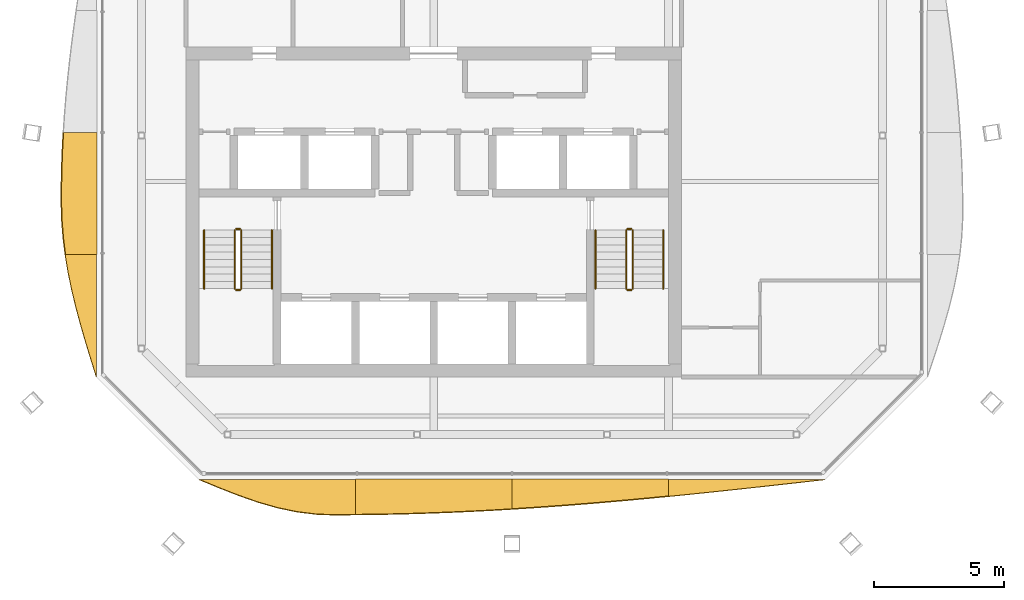
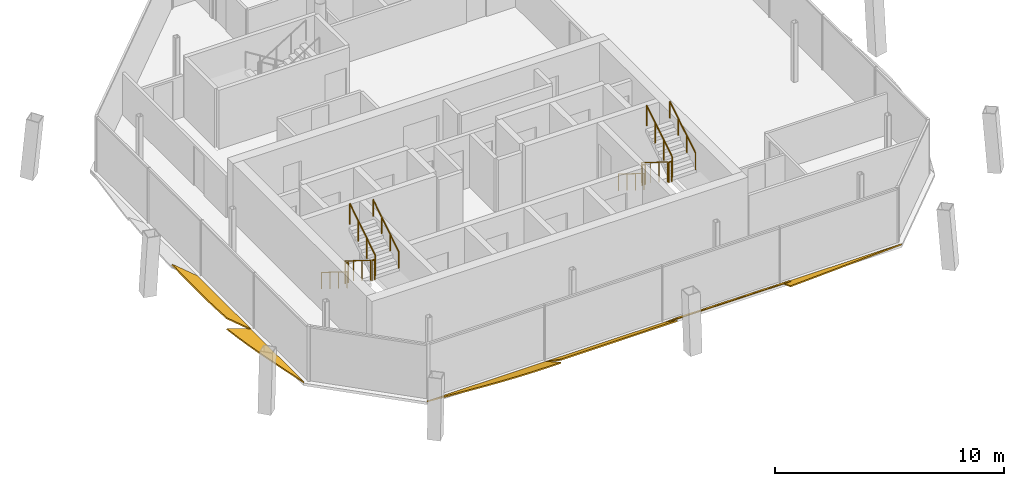
# One storey, part 11 of 13: 12 railings, 6 shading devices.
"""IFC4 building model written with IfcOpenShell, lengths in metres."""

from ifc_helpers import new_model, si_unit, direction, frame, origin, origin_2d, place, context, subcontext, project, spatial, polyline, circle, outline, extrude, material, layer, layer_set, type_object, element, save


model = new_model("IFC4")

# Units and contexts
model_context = context("Model", 3, precision=1e-05, world=origin(), true_north=direction((0.0, 1.0)))
body_context = subcontext(model_context, "Body", "Model", "MODEL_VIEW")
ifc_project = project(units=[si_unit("LENGTHUNIT", "METRE"), si_unit("AREAUNIT", "SQUARE_METRE"), si_unit("VOLUMEUNIT", "CUBIC_METRE"), si_unit("PLANEANGLEUNIT", "RADIAN"), si_unit("MASSUNIT", "GRAM", prefix="KILO")], contexts=[model_context])

# Site, building, storey
site_placement = place(None, origin())
site = spatial("IfcSite", under=ifc_project, at=site_placement, CompositionType="ELEMENT")
building_placement = place(site_placement, origin())
building = spatial("IfcBuilding", under=site, at=building_placement, Name="Tskaro Facet Tower", CompositionType="ELEMENT")
storey_placement = place(building_placement, frame((0.0, 0.0, 284.699951171875)))
storey = spatial("IfcBuildingStorey", under=building, at=storey_placement, Name="L76", CompositionType="ELEMENT", Elevation=284.699951171875)

# Shading devices
ifc_material_1 = material(Name="Bronze anodised aluminium 6063-T6", Category="aluminium")
ifc_layer = layer(ifc_material_1, 0.06005859375, Name="Bronze anodised aluminium 6063-T6")
ifc_layer_set = layer_set([ifc_layer], Name="Bronze anodised aluminium 6063-T6")
shading_device_type = type_object("IfcShadingDeviceType", Name="Bronze sun blade (FN1)", PredefinedType="USERDEFINED", material=ifc_layer_set)
shading_device_1_placement = place(storey_placement, frame((-8.990966796875, -15.91796875, 0.052001953125), z_axis=(-6.409586e-06, 0.499997483172, 0.866026856847), x_axis=(0.999999999979, 3.204777e-06, 5.550873e-06)))
element("IfcShadingDevice", 1, at=shading_device_1_placement, inside=storey, type_object=shading_device_type, Name="Fin blade south 1", ObjectType="FIN", PredefinedType="USERDEFINED", context=body_context, shape_type="SweptSolid", body=[
    extrude(outline(polyline([(0.0, 0.0), (5.995361328001847, 0.0), (5.9953613284299045, -1.5570210703938998), (5.246093749425603, -1.5611691130497671), (5.084228515626705, -1.5615026150859115), (4.496582030638383, -1.5357925783223934), (3.7470703125880136, -1.4301383967570296), (2.9978027344320175, -1.2480211089733997), (2.248291015994905, -0.9994043104639594), (1.498779296363147, -0.6973991332685996), (0.7495117189957943, -0.3583296600906118), (0.0, 0.0)])), origin(), (0.0, 0.0, -1.0), 0.06005859375),
])
shading_device_2_placement = place(storey_placement, frame((-2.99560546875, -15.91357421875, 0.04931640625), z_axis=(-9.211354e-06, 0.573517924947, 0.819193011249), x_axis=(0.999999999958, 5.282877e-06, 7.545877e-06)))
element("IfcShadingDevice", 2, at=shading_device_2_placement, inside=storey, type_object=shading_device_type, Name="Fin blade south 2", ObjectType="FIN", PredefinedType="USERDEFINED", context=body_context, shape_type="SweptSolid", body=[
    extrude(outline(polyline([(0.0, 0.0), (5.995605468495639, 0.0), (5.9956054681820925, -1.386094008590973), (5.24609375016764, -1.4391960829635246), (4.496826171492139, -1.4865379234093197), (3.7473144527478626, -1.5282595489530095), (2.9978027345598006, -1.5643609595945938), (2.248535156447964, -1.5941621206972292), (1.4990234371623716, -1.617663032260916), (0.7495117191702692, -1.635003713310305), (-1.2128537232086105e-09, -1.645904125796094), (0.0, 0.0)])), origin(), (0.0, 0.0, -1.0), 0.06005859375),
])
shading_device_3_placement = place(storey_placement, frame((3.0, -15.909423828125, 0.0458984375), z_axis=(-1.5142645e-05, 0.642870441211, 0.765974931436), x_axis=(0.999999999885, 9.734759e-06, 1.1598887e-05)))
element("IfcShadingDevice", 3, at=shading_device_3_placement, inside=storey, type_object=shading_device_type, Name="Fin blade south 3", ObjectType="FIN", PredefinedType="USERDEFINED", context=body_context, shape_type="SweptSolid", body=[
    extrude(outline(polyline([(0.0, 0.0), (5.995605468062605, 5.0784753707693134e-21), (5.995605469239117, -0.8437484776067581), (5.246093750273161, -0.9387138437969864), (4.496582031509413, -1.0298656348917241), (3.747070312947873, -1.1172038508909716), (2.9978027343032942, -1.200040579015037), (2.2482910143257313, -1.2783758192639205), (1.4987792955616988, -1.35167860964926), (0.7495117181810587, -1.4196049937812092), (-1.442783111498734e-09, -1.4823419772582853), (0.0, 0.0)])), origin(), (0.0, 0.0, -1.0), 0.06005859375),
])
shading_device_4_placement = place(storey_placement, frame((8.99560546875, -15.927490234375, 0.056396484375), z_axis=(-3.426512e-06, 0.342224594329, 0.93961818151), x_axis=(0.999999999994, 1.172637e-06, 3.219613e-06)))
element("IfcShadingDevice", 4, at=shading_device_4_placement, inside=storey, type_object=shading_device_type, Name="Fin blade south 4", ObjectType="FIN", PredefinedType="USERDEFINED", context=body_context, shape_type="SweptSolid", body=[
    extrude(outline(polyline([(0.0, 0.0), (5.995361328089804, 0.0), (5.245849609615586, -0.0896700614034773), (4.496582031552904, -0.178797773940411), (3.7470703126517635, -0.2673831376108011), (2.9975585933236983, -0.35488380354810406), (2.248291015552322, -0.44092452473847693), (1.4987792965155629, -0.5253381993292191), (0.7492675781970325, -0.6077495803064876), (-6.405821443344983e-11, -0.6877621668474851), (0.0, 0.0)])), origin(), (0.0, 0.0, -1.0), 0.06005859375),
])
shading_device_5_placement = place(storey_placement, frame((-12.909423828125, -2.630615234375, 0.0458984375), z_axis=(0.642826953802, 1.536763e-05, 0.766011427611), x_axis=(9.878727e-06, -0.999999999882, 1.177178e-05)))
element("IfcShadingDevice", 5, at=shading_device_5_placement, inside=storey, type_object=shading_device_type, Name="Fin blade west 3", ObjectType="FIN", PredefinedType="USERDEFINED", context=body_context, shape_type="SweptSolid", body=[
    extrude(outline(polyline([(0.0, 0.0), (4.680175780697356, -3.964263085660385e-21), (4.680175782135725, -1.5608341655001179), (4.011474609871742, -1.6694910028182373), (3.3430175774785513, -1.7379483535637628), (2.67431640714329, -1.764800324670254), (2.5834960927043866, -1.765331293861973), (2.005615231750824, -1.7601418992825049), (1.3371582049253208, -1.7415749149025044), (0.6684570300217046, -1.7095335492165449), (-6.763744278641935e-10, -1.6643016082387692), (0.0, 0.0)])), origin(), (0.0, 0.0, -1.0), 0.06005859375),
])
shading_device_6_placement = place(storey_placement, frame((-12.927490234375, -7.310791015625, 0.056396484375), z_axis=(0.342034797153, -2.5525956e-05, 0.939687286753), x_axis=(-8.730765e-06, -0.999999999674, -2.3986417e-05)))
element("IfcShadingDevice", 6, at=shading_device_6_placement, inside=storey, type_object=shading_device_type, Name="Fin blade west 4", ObjectType="FIN", PredefinedType="USERDEFINED", context=body_context, shape_type="SweptSolid", body=[
    extrude(outline(polyline([(0.0, 0.0), (4.680175779725259, 0.0), (4.011718749920756, -0.2221204717736016), (3.3430175757215195, -0.43883867875006216), (2.674316404101784, -0.645127683226199), (2.005859376179727, -0.8360440520880054), (1.3371582053427034, -1.0067278568106504), (0.6684570295229108, -1.1533203368247475), (-3.228326905915156e-09, -1.2723380586548685), (0.0, 0.0)])), origin(), (0.0, 0.0, -1.0), 0.06005859375),
])

# Railings
ifc_material_2 = material(Name="Stainless steel", Category="steel")
railing_type_1 = type_object("IfcRailingType", Name="RL-GUARD-1100", PredefinedType="GUARDRAIL", material=ifc_material_2)
railing_1_placement = place(storey_placement, frame((-7.625, -6.375, 0.175048828125)))
element("IfcRailing", 7, at=railing_1_placement, inside=storey, type_object=railing_type_1, Name="L76 ST-1 stair guard 1", PredefinedType="GUARDRAIL", context=body_context, shape_type="SweptSolid", body=[
    extrude(circle(Radius=0.02392578125, at=origin_2d()), frame((0.0, 0.0, 1.076171875), z_axis=(0.0, -0.848013881152, 0.529974015752), x_axis=(1.0, 0.0, 0.0)), (0.0, 0.0, 1.0), 2.641357421875),
    extrude(circle(Radius=0.02099609375, at=origin_2d()), origin(), (0.0, 0.0, 1.0), 1.052001953125),
    extrude(circle(Radius=0.02099609375, at=origin_2d()), frame((0.0, -0.74658203125, 0.466552734375)), (0.0, 0.0, 1.0), 1.052001953125),
    extrude(circle(Radius=0.02099609375, at=origin_2d()), frame((0.0, -1.493408203125, 0.933349609375)), (0.0, 0.0, 1.0), 1.052001953125),
    extrude(circle(Radius=0.02099609375, at=origin_2d()), frame((0.0, -2.239990234375, 1.39990234375)), (0.0, 0.0, 1.0), 1.052001953125),
])
railing_2_placement = place(storey_placement, frame((-7.574951171875, -8.6650390625, 1.574951171875)))
element("IfcRailing", 8, at=railing_2_placement, inside=storey, type_object=railing_type_1, Name="L76 ST-1 stair guard 2", PredefinedType="GUARDRAIL", context=body_context, shape_type="SweptSolid", body=[
    extrude(circle(Radius=0.02392578125, at=origin_2d()), frame((0.0, 0.0, 1.076171875), z_axis=(1.0, 0.0, 0.0), x_axis=(0.0, 1.0, 0.0)), (0.0, 0.0, 1.0), 0.14990234375),
    extrude(circle(Radius=0.02099609375, at=origin_2d()), origin(), (0.0, 0.0, 1.0), 1.052001953125),
    extrude(circle(Radius=0.02099609375, at=origin_2d()), frame((0.14990234375, 0.0, 0.0)), (0.0, 0.0, 1.0), 1.052001953125),
])
railing_3_placement = place(storey_placement, frame((-7.375, -8.614990234375, 1.75)))
element("IfcRailing", 9, at=railing_3_placement, inside=storey, type_object=railing_type_1, Name="L76 ST-1 stair guard 3", PredefinedType="GUARDRAIL", context=body_context, shape_type="SweptSolid", body=[
    extrude(circle(Radius=0.02392578125, at=origin_2d()), frame((0.0, 0.0, 1.076171875), z_axis=(0.0, 0.847972341737, 0.530040477369), x_axis=(-1.0, 0.0, 0.0)), (0.0, 0.0, 1.0), 2.6416015625),
    extrude(circle(Radius=0.02099609375, at=origin_2d()), origin(), (0.0, 0.0, 1.0), 1.052001953125),
    extrude(circle(Radius=0.02099609375, at=origin_2d()), frame((0.0, 0.74658203125, 0.466796875)), (0.0, 0.0, 1.0), 1.052001953125),
    extrude(circle(Radius=0.02099609375, at=origin_2d()), frame((0.0, 1.493408203125, 0.933349609375)), (0.0, 0.0, 1.0), 1.052001953125),
    extrude(circle(Radius=0.02099609375, at=origin_2d()), frame((0.0, 2.239990234375, 1.400146484375)), (0.0, 0.0, 1.0), 1.052001953125),
])
railing_4_placement = place(storey_placement, frame((-7.574951171875, -6.324951171875, 0.0)))
element("IfcRailing", 10, at=railing_4_placement, inside=storey, type_object=railing_type_1, Name="L76 ST-1 stair guard 4", PredefinedType="GUARDRAIL", context=body_context, shape_type="SweptSolid", body=[
    extrude(circle(Radius=0.02392578125, at=origin_2d()), frame((0.0, 0.0, 1.076171875), z_axis=(1.0, 0.0, 0.0), x_axis=(0.0, 1.0, 0.0)), (0.0, 0.0, 1.0), 0.14990234375),
    extrude(circle(Radius=0.02099609375, at=origin_2d()), origin(), (0.0, 0.0, 1.0), 1.052001953125),
    extrude(circle(Radius=0.02099609375, at=origin_2d()), frame((0.14990234375, 0.0, 0.0)), (0.0, 0.0, 1.0), 1.052001953125),
])
railing_5_placement = place(storey_placement, frame((7.375, -6.375, 0.175048828125)))
element("IfcRailing", 11, at=railing_5_placement, inside=storey, type_object=railing_type_1, Name="L76 ST-2 stair guard 1", PredefinedType="GUARDRAIL", context=body_context, shape_type="SweptSolid", body=[
    extrude(circle(Radius=0.02392578125, at=origin_2d()), frame((0.0, 0.0, 1.076171875), z_axis=(0.0, -0.848013881152, 0.529974015752), x_axis=(1.0, 0.0, 0.0)), (0.0, 0.0, 1.0), 2.641357421875),
    extrude(circle(Radius=0.02099609375, at=origin_2d()), origin(), (0.0, 0.0, 1.0), 1.052001953125),
    extrude(circle(Radius=0.02099609375, at=origin_2d()), frame((0.0, -0.74658203125, 0.466552734375)), (0.0, 0.0, 1.0), 1.052001953125),
    extrude(circle(Radius=0.02099609375, at=origin_2d()), frame((0.0, -1.493408203125, 0.933349609375)), (0.0, 0.0, 1.0), 1.052001953125),
    extrude(circle(Radius=0.02099609375, at=origin_2d()), frame((0.0, -2.239990234375, 1.39990234375)), (0.0, 0.0, 1.0), 1.052001953125),
])
railing_6_placement = place(storey_placement, frame((7.425048828125, -8.6650390625, 1.574951171875)))
element("IfcRailing", 12, at=railing_6_placement, inside=storey, type_object=railing_type_1, Name="L76 ST-2 stair guard 2", PredefinedType="GUARDRAIL", context=body_context, shape_type="SweptSolid", body=[
    extrude(circle(Radius=0.02392578125, at=origin_2d()), frame((0.0, 0.0, 1.076171875), z_axis=(1.0, 0.0, 0.0), x_axis=(0.0, 1.0, 0.0)), (0.0, 0.0, 1.0), 0.14990234375),
    extrude(circle(Radius=0.02099609375, at=origin_2d()), origin(), (0.0, 0.0, 1.0), 1.052001953125),
    extrude(circle(Radius=0.02099609375, at=origin_2d()), frame((0.14990234375, 0.0, 0.0)), (0.0, 0.0, 1.0), 1.052001953125),
])
railing_7_placement = place(storey_placement, frame((7.625, -8.614990234375, 1.75)))
element("IfcRailing", 13, at=railing_7_placement, inside=storey, type_object=railing_type_1, Name="L76 ST-2 stair guard 3", PredefinedType="GUARDRAIL", context=body_context, shape_type="SweptSolid", body=[
    extrude(circle(Radius=0.02392578125, at=origin_2d()), frame((0.0, 0.0, 1.076171875), z_axis=(0.0, 0.847972341737, 0.530040477369), x_axis=(-1.0, 0.0, 0.0)), (0.0, 0.0, 1.0), 2.6416015625),
    extrude(circle(Radius=0.02099609375, at=origin_2d()), origin(), (0.0, 0.0, 1.0), 1.052001953125),
    extrude(circle(Radius=0.02099609375, at=origin_2d()), frame((0.0, 0.74658203125, 0.466796875)), (0.0, 0.0, 1.0), 1.052001953125),
    extrude(circle(Radius=0.02099609375, at=origin_2d()), frame((0.0, 1.493408203125, 0.933349609375)), (0.0, 0.0, 1.0), 1.052001953125),
    extrude(circle(Radius=0.02099609375, at=origin_2d()), frame((0.0, 2.239990234375, 1.400146484375)), (0.0, 0.0, 1.0), 1.052001953125),
])
railing_8_placement = place(storey_placement, frame((7.425048828125, -6.324951171875, 0.0)))
element("IfcRailing", 14, at=railing_8_placement, inside=storey, type_object=railing_type_1, Name="L76 ST-2 stair guard 4", PredefinedType="GUARDRAIL", context=body_context, shape_type="SweptSolid", body=[
    extrude(circle(Radius=0.02392578125, at=origin_2d()), frame((0.0, 0.0, 1.076171875), z_axis=(1.0, 0.0, 0.0), x_axis=(0.0, 1.0, 0.0)), (0.0, 0.0, 1.0), 0.14990234375),
    extrude(circle(Radius=0.02099609375, at=origin_2d()), origin(), (0.0, 0.0, 1.0), 1.052001953125),
    extrude(circle(Radius=0.02099609375, at=origin_2d()), frame((0.14990234375, 0.0, 0.0)), (0.0, 0.0, 1.0), 1.052001953125),
])
railing_type_2 = type_object("IfcRailingType", Name="RL-HANDRAIL-900", PredefinedType="HANDRAIL", material=ifc_material_2)
railing_9_placement = place(storey_placement, frame((-8.800048828125, -6.375, 0.175048828125)))
element("IfcRailing", 15, at=railing_9_placement, inside=storey, type_object=railing_type_2, Name="L76 ST-1 stair handrail 1", PredefinedType="HANDRAIL", context=body_context, shape_type="SweptSolid", body=[
    extrude(circle(Radius=0.02392578125, at=origin_2d()), frame((0.0, 0.0, 0.8759765625), z_axis=(0.0, -0.848013881152, 0.529974015752), x_axis=(1.0, 0.0, 0.0)), (0.0, 0.0, 1.0), 2.641357421875),
    extrude(circle(Radius=0.02099609375, at=origin_2d()), origin(), (0.0, 0.0, 1.0), 0.851806640625),
    extrude(circle(Radius=0.02099609375, at=origin_2d()), frame((0.0, -0.74658203125, 0.466552734375)), (0.0, 0.0, 1.0), 0.851806640625),
    extrude(circle(Radius=0.02099609375, at=origin_2d()), frame((0.0, -1.493408203125, 0.933349609375)), (0.0, 0.0, 1.0), 0.851806640625),
    extrude(circle(Radius=0.02099609375, at=origin_2d()), frame((0.0, -2.239990234375, 1.39990234375)), (0.0, 0.0, 1.0), 0.851806640625),
])
railing_10_placement = place(storey_placement, frame((-6.199951171875, -8.614990234375, 1.75)))
element("IfcRailing", 16, at=railing_10_placement, inside=storey, type_object=railing_type_2, Name="L76 ST-1 stair handrail 2", PredefinedType="HANDRAIL", context=body_context, shape_type="SweptSolid", body=[
    extrude(circle(Radius=0.02392578125, at=origin_2d()), frame((0.0, 0.0, 0.8759765625), z_axis=(0.0, 0.847972341737, 0.530040477369), x_axis=(-1.0, 0.0, 0.0)), (0.0, 0.0, 1.0), 2.6416015625),
    extrude(circle(Radius=0.02099609375, at=origin_2d()), origin(), (0.0, 0.0, 1.0), 0.851806640625),
    extrude(circle(Radius=0.02099609375, at=origin_2d()), frame((0.0, 0.74658203125, 0.466796875)), (0.0, 0.0, 1.0), 0.851806640625),
    extrude(circle(Radius=0.02099609375, at=origin_2d()), frame((0.0, 1.493408203125, 0.933349609375)), (0.0, 0.0, 1.0), 0.851806640625),
    extrude(circle(Radius=0.02099609375, at=origin_2d()), frame((0.0, 2.239990234375, 1.400146484375)), (0.0, 0.0, 1.0), 0.851806640625),
])
railing_11_placement = place(storey_placement, frame((6.199951171875, -6.375, 0.175048828125)))
element("IfcRailing", 17, at=railing_11_placement, inside=storey, type_object=railing_type_2, Name="L76 ST-2 stair handrail 1", PredefinedType="HANDRAIL", context=body_context, shape_type="SweptSolid", body=[
    extrude(circle(Radius=0.02392578125, at=origin_2d()), frame((0.0, 0.0, 0.8759765625), z_axis=(0.0, -0.848013881152, 0.529974015752), x_axis=(1.0, 0.0, 0.0)), (0.0, 0.0, 1.0), 2.641357421875),
    extrude(circle(Radius=0.02099609375, at=origin_2d()), origin(), (0.0, 0.0, 1.0), 0.851806640625),
    extrude(circle(Radius=0.02099609375, at=origin_2d()), frame((0.0, -0.74658203125, 0.466552734375)), (0.0, 0.0, 1.0), 0.851806640625),
    extrude(circle(Radius=0.02099609375, at=origin_2d()), frame((0.0, -1.493408203125, 0.933349609375)), (0.0, 0.0, 1.0), 0.851806640625),
    extrude(circle(Radius=0.02099609375, at=origin_2d()), frame((0.0, -2.239990234375, 1.39990234375)), (0.0, 0.0, 1.0), 0.851806640625),
])
railing_12_placement = place(storey_placement, frame((8.800048828125, -8.614990234375, 1.75)))
element("IfcRailing", 18, at=railing_12_placement, inside=storey, type_object=railing_type_2, Name="L76 ST-2 stair handrail 2", PredefinedType="HANDRAIL", context=body_context, shape_type="SweptSolid", body=[
    extrude(circle(Radius=0.02392578125, at=origin_2d()), frame((0.0, 0.0, 0.8759765625), z_axis=(0.0, 0.847972341737, 0.530040477369), x_axis=(-1.0, 0.0, 0.0)), (0.0, 0.0, 1.0), 2.6416015625),
    extrude(circle(Radius=0.02099609375, at=origin_2d()), origin(), (0.0, 0.0, 1.0), 0.851806640625),
    extrude(circle(Radius=0.02099609375, at=origin_2d()), frame((0.0, 0.74658203125, 0.466796875)), (0.0, 0.0, 1.0), 0.851806640625),
    extrude(circle(Radius=0.02099609375, at=origin_2d()), frame((0.0, 1.493408203125, 0.933349609375)), (0.0, 0.0, 1.0), 0.851806640625),
    extrude(circle(Radius=0.02099609375, at=origin_2d()), frame((0.0, 2.239990234375, 1.400146484375)), (0.0, 0.0, 1.0), 0.851806640625),
])

save(model, "model.ifc")
